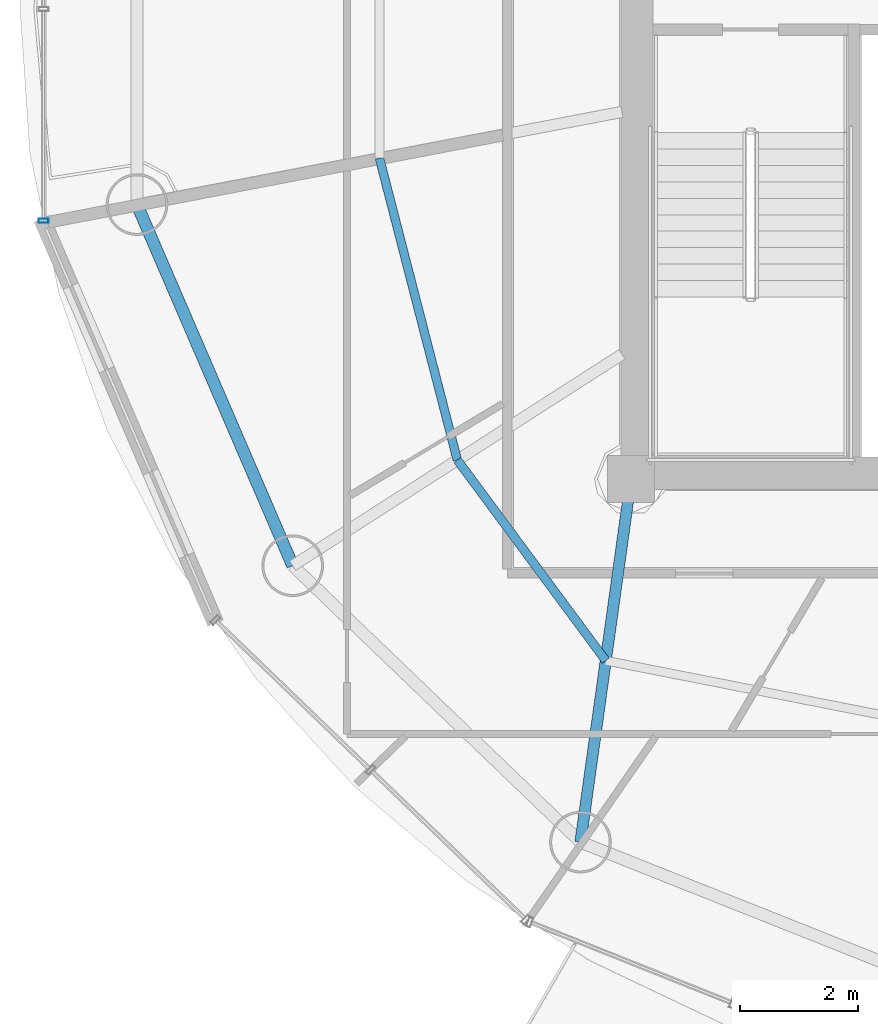
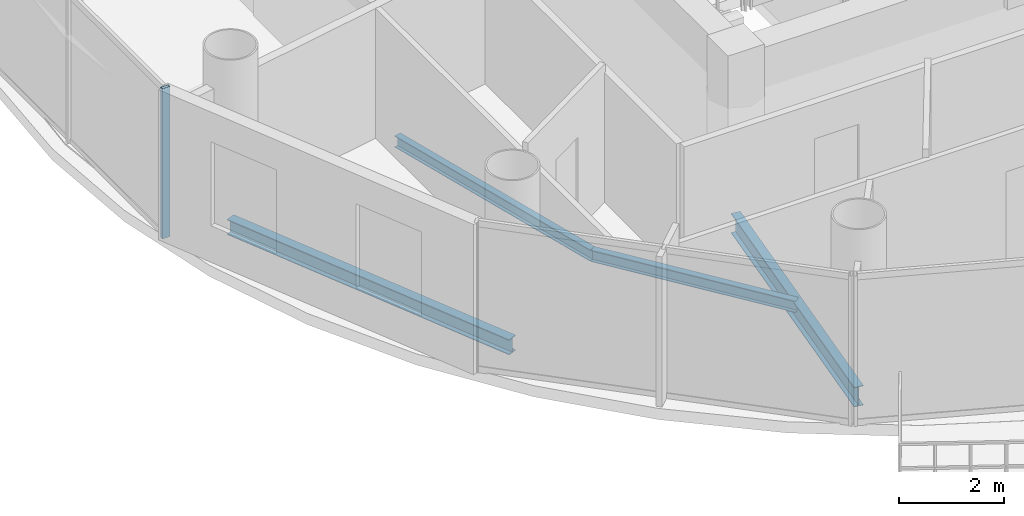
# One storey, part 4 of 23: 4 beams, 1 member, 1 element without a shape of its own.
"""IFC4 building model written with IfcOpenShell, lengths in metres."""

from ifc_helpers import new_model, si_unit, direction, frame, origin, origin_2d, place, context, subcontext, project, spatial, hollow_rectangle, i_section, extrude, source, transform, mapped, material, material_profile, profile_set, type_object, element, aggregate, save


model = new_model("IFC4")

# Units and contexts
model_context = context("Model", 3, precision=1e-05, world=origin(), true_north=direction((-0.2419218956, 0.970295726276)))
body_context = subcontext(model_context, "Body", "Model", "MODEL_VIEW")
ifc_project = project(units=[si_unit("LENGTHUNIT", "METRE"), si_unit("AREAUNIT", "SQUARE_METRE"), si_unit("VOLUMEUNIT", "CUBIC_METRE"), si_unit("PLANEANGLEUNIT", "RADIAN"), si_unit("MASSUNIT", "GRAM", prefix="KILO")], contexts=[model_context])

# Site, building, storey
site_placement = place(None, origin())
site = spatial("IfcSite", under=ifc_project, at=site_placement, CompositionType="ELEMENT")
building_placement = place(site_placement, origin())
building = spatial("IfcBuilding", under=site, at=building_placement, Name="Cobrevalo Terracotta Tower", CompositionType="ELEMENT")
storey_placement = place(building_placement, frame((0.0, 0.0, 251.949951171875)))
storey = spatial("IfcBuildingStorey", under=building, at=storey_placement, Name="L66", CompositionType="ELEMENT", Elevation=251.949951171875)

# Beams
ifc_material_1 = material(Name="Steel S355", Category="steel")
ifc_material_profile_1 = material_profile(ifc_material_1, i_section(OverallWidth=0.19091796875, OverallDepth=0.4599609375, WebThickness=0.010009765625, FlangeThickness=0.01611328125, at=origin_2d()), Name="W 460x82")
ifc_profile_set_1 = profile_set([ifc_material_profile_1], Name="Steel S355")
beam_type_1 = type_object("IfcBeamType", Name="Structural Beam W 460x82 (Steel S355)", PredefinedType="BEAM", material=ifc_profile_set_1)
beam_1_placement = place(storey_placement, frame((28.138671875, 12.62353515625, -0.489990234375), z_axis=(0.138115657759, 0.990416107039, 0.0), x_axis=(-0.990416107039, 0.138115657759, 0.0)))
element("IfcBeam", 1, at=beam_1_placement, inside=storey, type_object=beam_type_1, Name="L66 radial floor girder 11", PredefinedType="BEAM", context=body_context, shape_type="SweptSolid", body=[
    extrude(i_section(OverallWidth=0.19091796875, OverallDepth=0.4599609375, WebThickness=0.010009765625, FlangeThickness=0.01611328125, at=origin_2d()), origin(), (0.0, 0.0, 1.0), 6.236328125),
])
ifc_material_profile_2 = material_profile(ifc_material_1, i_section(OverallWidth=0.14794921875, OverallDepth=0.26611328125, WebThickness=0.007568359375, FlangeThickness=0.012939453125, at=origin_2d()), Name="W 250x44.8")
ifc_profile_set_2 = profile_set([ifc_material_profile_2], Name="Steel S355")
beam_type_2 = type_object("IfcBeamType", Name="Structural Joist W 250x44.8 (Steel S355)", PredefinedType="JOIST", material=ifc_profile_set_2)
beam_2_placement = place(storey_placement, frame((24.718017578125, 24.26220703125, -0.39306640625), z_axis=(0.249816773293, -0.968293126993, 0.0), x_axis=(0.968293126993, 0.249816773293, 0.0)))
element("IfcBeam", 2, at=beam_2_placement, inside=storey, type_object=beam_type_2, Name="L66 circumferential secondary floor joist 09", PredefinedType="JOIST", context=body_context, shape_type="SweptSolid", body=[
    extrude(i_section(OverallWidth=0.14794921875, OverallDepth=0.26611328125, WebThickness=0.007568359375, FlangeThickness=0.012939453125, at=origin_2d()), origin(), (0.0, 0.0, 1.0), 5.3046875),
])
beam_3_placement = place(storey_placement, frame((26.043212890625, 19.125732421875, -0.39306640625), z_axis=(0.594799916617, -0.803873783123, 0.0), x_axis=(0.803873783123, 0.594799916617, 0.0)))
element("IfcBeam", 3, at=beam_3_placement, inside=storey, type_object=beam_type_2, Name="L66 circumferential secondary floor joist 10", PredefinedType="JOIST", context=body_context, shape_type="SweptSolid", body=[
    extrude(i_section(OverallWidth=0.14794921875, OverallDepth=0.26611328125, WebThickness=0.007568359375, FlangeThickness=0.012939453125, at=origin_2d()), origin(), (0.0, 0.0, 1.0), 4.2470703125),
])
ifc_material_profile_3 = material_profile(ifc_material_1, i_section(OverallWidth=0.205078125, OverallDepth=0.35400390625, WebThickness=0.009521484375, FlangeThickness=0.016845703125, at=origin_2d()), Name="W 360x79")
ifc_profile_set_3 = profile_set([ifc_material_profile_3], Name="Steel S355")
beam_type_3 = type_object("IfcBeamType", Name="Structural Spandrel W 360x79 (Steel S355)", PredefinedType="SPANDREL", material=ifc_profile_set_3)
beam_4_placement = place(storey_placement, frame((20.591064453125, 23.4736328125, -0.43701171875), z_axis=(0.395987390706, -0.918255948198, 0.0), x_axis=(0.918255948198, 0.395987390706, 0.0)))
element("IfcBeam", 4, at=beam_4_placement, inside=storey, type_object=beam_type_3, Name="L66 perimeter ring spandrel 09", PredefinedType="SPANDREL", context=body_context, shape_type="SweptSolid", body=[
    extrude(i_section(OverallWidth=0.205078125, OverallDepth=0.35400390625, WebThickness=0.009521484375, FlangeThickness=0.016845703125, at=origin_2d()), origin(), (0.0, 0.0, 1.0), 6.693115234375),
])

# Curtain wall, member
ifc_material_2 = material(Name="Anodized aluminium", Category="aluminium")
curtain_wall_type = type_object("IfcCurtainWallType", Name="Upper-tower triple-glazed penthouse curtain wall CW-U3", PredefinedType="NOTDEFINED", material=ifc_material_2)
curtain_wall_placement = place(storey_placement, origin())
curtain_wall = element("IfcCurtainWall", 5, at=curtain_wall_placement, inside=storey, type_object=curtain_wall_type, Name="L66 curtain wall CW-L66-S08", PredefinedType="NOTDEFINED")
ifc_material_profile_4 = material_profile(ifc_material_2, hollow_rectangle(XDim=0.070068359375, YDim=0.169921875, WallThickness=0.00439453125, at=origin_2d()), Name="CWM 70x170")
ifc_profile_set_4 = profile_set([ifc_material_profile_4], Name="Anodized aluminium")
member_type = type_object("IfcMemberType", Name="Upper tower unitised mullion 70x170", PredefinedType="MULLION", material=ifc_profile_set_4)
shared_shape = source(origin(), body_context, "Body", "SweptSolid", [
    extrude(hollow_rectangle(XDim=0.070068359375, YDim=0.169921875, WallThickness=0.00439453125, at=origin_2d()), origin(), (0.0, 0.0, 1.0), 3.489990234375),
])
member_placement = place(storey_placement, frame((19.002197265625, 23.19775390625, 0.0), z_axis=(0.0, 0.0, 1.0), x_axis=(0.0, -1.0, 0.0)))
member = element("IfcMember", 6, at=member_placement, type_object=member_type, Name="CW-L66-S08 vertical mullion 03", PredefinedType="MULLION", context=body_context, shape_type="MappedRepresentation", body=[
    mapped(shared_shape, transform((0.0, 0.0, 0.0), scale=1.0)),
])
aggregate(curtain_wall, [member])

save(model, "model.ifc")
